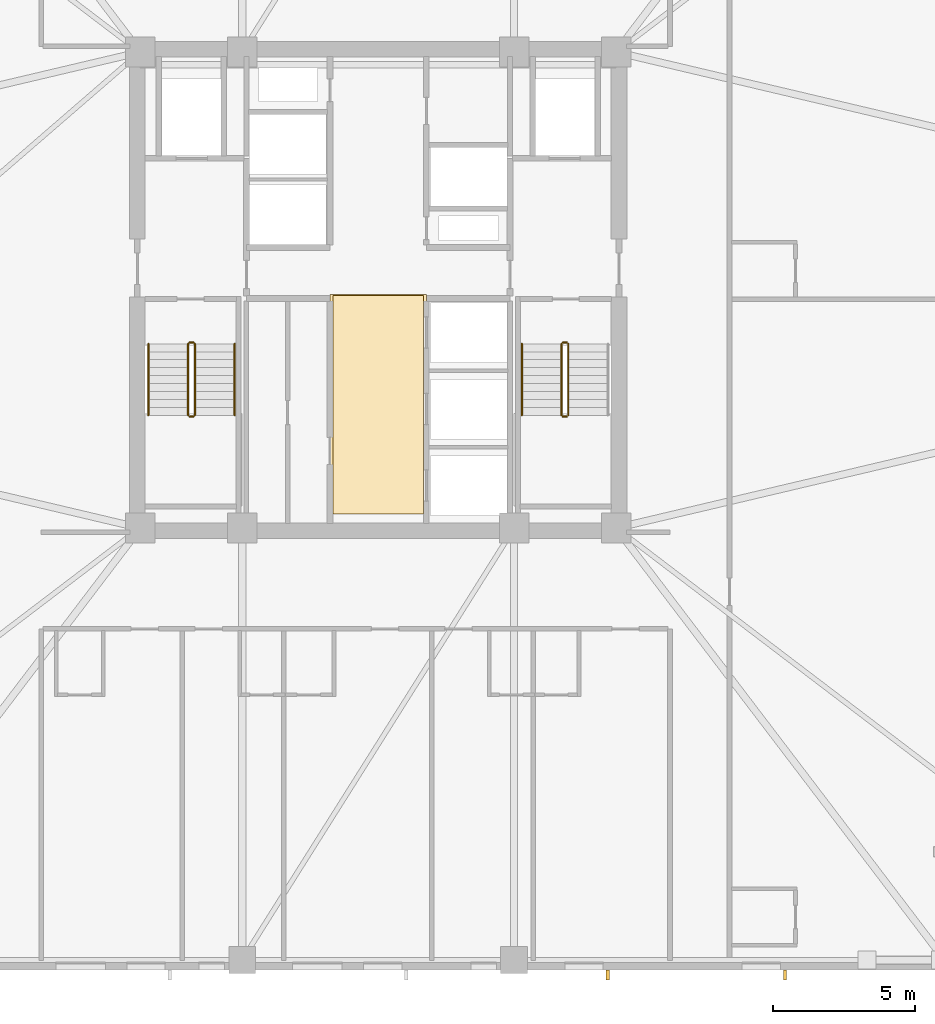
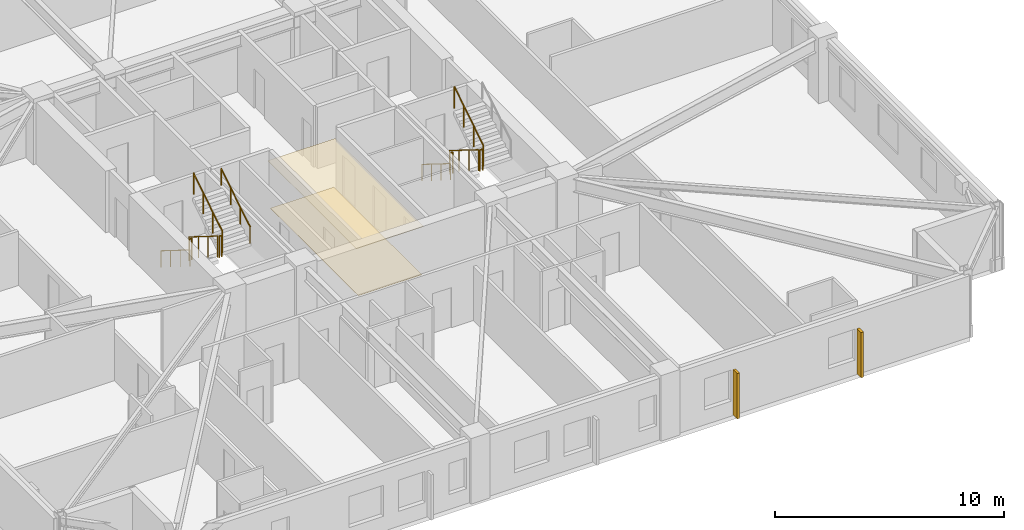
# One storey, part 8 of 11: 11 railings, 2 coverings, 2 shading devices.
"""IFC4 building model written with IfcOpenShell, lengths in metres."""

from ifc_helpers import new_model, si_unit, direction, frame, origin, origin_2d, place, context, subcontext, project, spatial, polyline, rectangle, circle, outline, extrude, material, layer, layer_set, type_object, element, save


model = new_model("IFC4")

# Units and contexts
model_context = context("Model", 3, precision=1e-05, world=origin(), true_north=direction((0.0, 1.0)))
body_context = subcontext(model_context, "Body", "Model", "MODEL_VIEW")
ifc_project = project(units=[si_unit("LENGTHUNIT", "METRE"), si_unit("AREAUNIT", "SQUARE_METRE"), si_unit("VOLUMEUNIT", "CUBIC_METRE"), si_unit("PLANEANGLEUNIT", "RADIAN"), si_unit("MASSUNIT", "GRAM", prefix="KILO")], contexts=[model_context])

# Site, building, storey
site_placement = place(None, origin())
site = spatial("IfcSite", under=ifc_project, at=site_placement, CompositionType="ELEMENT")
building_placement = place(site_placement, origin())
building = spatial("IfcBuilding", under=site, at=building_placement, Name="Cairnveth Concourse Tower", CompositionType="ELEMENT")
storey_placement = place(building_placement, frame((0.0, 0.0, 120.0)))
storey = spatial("IfcBuildingStorey", under=building, at=storey_placement, Name="L32", CompositionType="ELEMENT", Elevation=120.0)

# Covering
ifc_material_1 = material(Name="Acoustic Mineral Fibre Ceiling", Category="gypsum")
ifc_layer_1 = layer(ifc_material_1, 0.02490234375)
ifc_layer_set_1 = layer_set([ifc_layer_1], Name="Acoustic Mineral Fibre Ceiling")
covering_type_1 = type_object("IfcCoveringType", Name="ACOUSTIC MINERAL FIBRE CEILING 25", PredefinedType="CEILING", material=ifc_layer_set_1)
covering_1_placement = place(storey_placement, frame((0.0, 0.0, 2.5400390625)))
element("IfcCovering", 1, at=covering_1_placement, inside=storey, type_object=covering_type_1, Name="Lift Lobby Acoustic Ceiling L32", PredefinedType="CEILING", context=body_context, shape_type="SweptSolid", body=[
    extrude(outline(polyline([(50.300048828125, 31.10009765625), (53.699951171875, 31.10009765625), (53.699951171875, 38.85009765625), (50.300048828125, 38.85009765625), (50.300048828125, 31.10009765625)])), origin(), (0.0, 0.0, 1.0), 0.02490234375),
])

# Shading devices
ifc_material_2 = material(Name="Architectural Bronze Anodised Aluminium 6063-T6", Category="aluminium")
shading_device_type = type_object("IfcShadingDeviceType", Name="GOTHIC BRONZE VERTICAL LANCET FIN", PredefinedType="USERDEFINED", material=ifc_material_2)
for number, where, z_axis, x_axis, name in (
    (2, (66.358154296875, 14.824951171875, 0.030029296875), (0.0, 0.0, 1.0), (1.0, 0.0, 0.0), "Gothic Bronze Vertical Fin L32-9-1"),
    (3, (60.10107421875, 14.824951171875, 0.030029296875), (0.0, 0.0, 1.0), (1.0, 0.0, 0.0), "Gothic Bronze Vertical Fin L32-9-3"),
):
    element("IfcShadingDevice", number, at=place(storey_placement, frame(where, z_axis=z_axis, x_axis=x_axis)), inside=storey, type_object=shading_device_type, Name=name, ObjectType="VERTICAL FIN", PredefinedType="USERDEFINED", context=body_context, shape_type="SweptSolid", body=[
        extrude(rectangle(XDim=0.1201171875, YDim=0.360107421875, at=origin_2d()), origin(), (0.0, 0.0, 1.0), 2.419921875),
    ])

# Railings
ifc_material_3 = material(Name="Steel Grade 350", Category="steel")
railing_type_1 = type_object("IfcRailingType", Name="STAIR GUARDRAIL 1150", PredefinedType="GUARDRAIL", material=ifc_material_3)
railing_1_placement = place(storey_placement, frame((45.2900390625, 37.10009765625, 0.175048828125)))
element("IfcRailing", 4, at=railing_1_placement, inside=storey, type_object=railing_type_1, Name="L32 ST-1 stair guard 1", PredefinedType="GUARDRAIL", context=body_context, shape_type="SweptSolid", body=[
    extrude(circle(Radius=0.02392578125, at=origin_2d()), frame((0.0, 0.0, 1.1259765625), z_axis=(0.0, -0.848007534815, 0.529984170421), x_axis=(1.0, 0.0, 0.0)), (0.0, 0.0, 1.0), 2.9716796875),
    extrude(circle(Radius=0.02099609375, at=origin_2d()), origin(), (0.0, 0.0, 1.0), 1.101806640625),
    extrude(circle(Radius=0.02099609375, at=origin_2d()), frame((0.0, -0.840087890625, 0.52490234375)), (0.0, 0.0, 1.0), 1.101806640625),
    extrude(circle(Radius=0.02099609375, at=origin_2d()), frame((0.0, -1.679931640625, 1.050048828125)), (0.0, 0.0, 1.0), 1.101806640625),
    extrude(circle(Radius=0.02099609375, at=origin_2d()), frame((0.0, -2.52001953125, 1.574951171875)), (0.0, 0.0, 1.0), 1.101806640625),
])
railing_2_placement = place(storey_placement, frame((45.340087890625, 34.530029296875, 1.75)))
element("IfcRailing", 5, at=railing_2_placement, inside=storey, type_object=railing_type_1, Name="L32 ST-1 stair guard 2", PredefinedType="GUARDRAIL", context=body_context, shape_type="SweptSolid", body=[
    extrude(circle(Radius=0.02392578125, at=origin_2d()), frame((0.0, 0.0, 1.1259765625), z_axis=(1.0, 0.0, 0.0), x_axis=(0.0, 1.0, 0.0)), (0.0, 0.0, 1.0), 0.139892578125),
    extrude(circle(Radius=0.02099609375, at=origin_2d()), origin(), (0.0, 0.0, 1.0), 1.101806640625),
    extrude(circle(Radius=0.02099609375, at=origin_2d()), frame((0.139892578125, 0.0, 0.0)), (0.0, 0.0, 1.0), 1.101806640625),
])
railing_3_placement = place(storey_placement, frame((45.530029296875, 34.580078125, 1.925048828125)))
element("IfcRailing", 6, at=railing_3_placement, inside=storey, type_object=railing_type_1, Name="L32 ST-1 stair guard 3", PredefinedType="GUARDRAIL", context=body_context, shape_type="SweptSolid", body=[
    extrude(circle(Radius=0.02392578125, at=origin_2d()), frame((0.0, 0.0, 1.1259765625), z_axis=(0.0, 0.848007534815, 0.529984170421), x_axis=(-1.0, 0.0, 0.0)), (0.0, 0.0, 1.0), 2.9716796875),
    extrude(circle(Radius=0.02099609375, at=origin_2d()), origin(), (0.0, 0.0, 1.0), 1.101806640625),
    extrude(circle(Radius=0.02099609375, at=origin_2d()), frame((0.0, 0.840087890625, 0.52490234375)), (0.0, 0.0, 1.0), 1.101806640625),
    extrude(circle(Radius=0.02099609375, at=origin_2d()), frame((0.0, 1.679931640625, 1.050048828125)), (0.0, 0.0, 1.0), 1.101806640625),
    extrude(circle(Radius=0.02099609375, at=origin_2d()), frame((0.0, 2.52001953125, 1.574951171875)), (0.0, 0.0, 1.0), 1.101806640625),
])
railing_4_placement = place(storey_placement, frame((45.340087890625, 37.14990234375, 0.0)))
element("IfcRailing", 7, at=railing_4_placement, inside=storey, type_object=railing_type_1, Name="L32 ST-1 stair guard 4", PredefinedType="GUARDRAIL", context=body_context, shape_type="SweptSolid", body=[
    extrude(circle(Radius=0.02392578125, at=origin_2d()), frame((0.0, 0.0, 1.1259765625), z_axis=(1.0, 0.0, 0.0), x_axis=(0.0, 1.0, 0.0)), (0.0, 0.0, 1.0), 0.139892578125),
    extrude(circle(Radius=0.02099609375, at=origin_2d()), origin(), (0.0, 0.0, 1.0), 1.101806640625),
    extrude(circle(Radius=0.02099609375, at=origin_2d()), frame((0.139892578125, 0.0, 0.0)), (0.0, 0.0, 1.0), 1.101806640625),
])
railing_5_placement = place(storey_placement, frame((58.469970703125, 37.10009765625, 0.175048828125)))
element("IfcRailing", 8, at=railing_5_placement, inside=storey, type_object=railing_type_1, Name="L32 ST-2 stair guard 1", PredefinedType="GUARDRAIL", context=body_context, shape_type="SweptSolid", body=[
    extrude(circle(Radius=0.02392578125, at=origin_2d()), frame((0.0, 0.0, 1.1259765625), z_axis=(0.0, -0.848007534815, 0.529984170421), x_axis=(1.0, 0.0, 0.0)), (0.0, 0.0, 1.0), 2.9716796875),
    extrude(circle(Radius=0.02099609375, at=origin_2d()), origin(), (0.0, 0.0, 1.0), 1.101806640625),
    extrude(circle(Radius=0.02099609375, at=origin_2d()), frame((0.0, -0.840087890625, 0.52490234375)), (0.0, 0.0, 1.0), 1.101806640625),
    extrude(circle(Radius=0.02099609375, at=origin_2d()), frame((0.0, -1.679931640625, 1.050048828125)), (0.0, 0.0, 1.0), 1.101806640625),
    extrude(circle(Radius=0.02099609375, at=origin_2d()), frame((0.0, -2.52001953125, 1.574951171875)), (0.0, 0.0, 1.0), 1.101806640625),
])
railing_6_placement = place(storey_placement, frame((58.52001953125, 34.530029296875, 1.75)))
element("IfcRailing", 9, at=railing_6_placement, inside=storey, type_object=railing_type_1, Name="L32 ST-2 stair guard 2", PredefinedType="GUARDRAIL", context=body_context, shape_type="SweptSolid", body=[
    extrude(circle(Radius=0.02392578125, at=origin_2d()), frame((0.0, 0.0, 1.1259765625), z_axis=(1.0, 0.0, 0.0), x_axis=(0.0, 1.0, 0.0)), (0.0, 0.0, 1.0), 0.139892578125),
    extrude(circle(Radius=0.02099609375, at=origin_2d()), origin(), (0.0, 0.0, 1.0), 1.101806640625),
    extrude(circle(Radius=0.02099609375, at=origin_2d()), frame((0.139892578125, 0.0, 0.0)), (0.0, 0.0, 1.0), 1.101806640625),
])
railing_7_placement = place(storey_placement, frame((58.7099609375, 34.580078125, 1.925048828125)))
element("IfcRailing", 10, at=railing_7_placement, inside=storey, type_object=railing_type_1, Name="L32 ST-2 stair guard 3", PredefinedType="GUARDRAIL", context=body_context, shape_type="SweptSolid", body=[
    extrude(circle(Radius=0.02392578125, at=origin_2d()), frame((0.0, 0.0, 1.1259765625), z_axis=(0.0, 0.848007534815, 0.529984170421), x_axis=(-1.0, 0.0, 0.0)), (0.0, 0.0, 1.0), 2.9716796875),
    extrude(circle(Radius=0.02099609375, at=origin_2d()), origin(), (0.0, 0.0, 1.0), 1.101806640625),
    extrude(circle(Radius=0.02099609375, at=origin_2d()), frame((0.0, 0.840087890625, 0.52490234375)), (0.0, 0.0, 1.0), 1.101806640625),
    extrude(circle(Radius=0.02099609375, at=origin_2d()), frame((0.0, 1.679931640625, 1.050048828125)), (0.0, 0.0, 1.0), 1.101806640625),
    extrude(circle(Radius=0.02099609375, at=origin_2d()), frame((0.0, 2.52001953125, 1.574951171875)), (0.0, 0.0, 1.0), 1.101806640625),
])
railing_8_placement = place(storey_placement, frame((58.52001953125, 37.14990234375, 0.0)))
element("IfcRailing", 11, at=railing_8_placement, inside=storey, type_object=railing_type_1, Name="L32 ST-2 stair guard 4", PredefinedType="GUARDRAIL", context=body_context, shape_type="SweptSolid", body=[
    extrude(circle(Radius=0.02392578125, at=origin_2d()), frame((0.0, 0.0, 1.1259765625), z_axis=(1.0, 0.0, 0.0), x_axis=(0.0, 1.0, 0.0)), (0.0, 0.0, 1.0), 0.139892578125),
    extrude(circle(Radius=0.02099609375, at=origin_2d()), origin(), (0.0, 0.0, 1.0), 1.101806640625),
    extrude(circle(Radius=0.02099609375, at=origin_2d()), frame((0.139892578125, 0.0, 0.0)), (0.0, 0.0, 1.0), 1.101806640625),
])
railing_type_2 = type_object("IfcRailingType", Name="STAIR WALL HANDRAIL 900", PredefinedType="HANDRAIL", material=ifc_material_3)
railing_9_placement = place(storey_placement, frame((43.889892578125, 37.10009765625, 0.175048828125)))
element("IfcRailing", 12, at=railing_9_placement, inside=storey, type_object=railing_type_2, Name="L32 ST-1 stair handrail 1", PredefinedType="HANDRAIL", context=body_context, shape_type="SweptSolid", body=[
    extrude(circle(Radius=0.02392578125, at=origin_2d()), frame((0.0, 0.0, 0.8759765625), z_axis=(0.0, -0.848007534815, 0.529984170421), x_axis=(1.0, 0.0, 0.0)), (0.0, 0.0, 1.0), 2.9716796875),
    extrude(circle(Radius=0.02099609375, at=origin_2d()), origin(), (0.0, 0.0, 1.0), 0.851806640625),
    extrude(circle(Radius=0.02099609375, at=origin_2d()), frame((0.0, -0.840087890625, 0.52490234375)), (0.0, 0.0, 1.0), 0.851806640625),
    extrude(circle(Radius=0.02099609375, at=origin_2d()), frame((0.0, -1.679931640625, 1.050048828125)), (0.0, 0.0, 1.0), 0.851806640625),
    extrude(circle(Radius=0.02099609375, at=origin_2d()), frame((0.0, -2.52001953125, 1.574951171875)), (0.0, 0.0, 1.0), 0.851806640625),
])
railing_10_placement = place(storey_placement, frame((46.929931640625, 34.580078125, 1.925048828125)))
element("IfcRailing", 13, at=railing_10_placement, inside=storey, type_object=railing_type_2, Name="L32 ST-1 stair handrail 2", PredefinedType="HANDRAIL", context=body_context, shape_type="SweptSolid", body=[
    extrude(circle(Radius=0.02392578125, at=origin_2d()), frame((0.0, 0.0, 0.8759765625), z_axis=(0.0, 0.848007534815, 0.529984170421), x_axis=(-1.0, 0.0, 0.0)), (0.0, 0.0, 1.0), 2.9716796875),
    extrude(circle(Radius=0.02099609375, at=origin_2d()), origin(), (0.0, 0.0, 1.0), 0.851806640625),
    extrude(circle(Radius=0.02099609375, at=origin_2d()), frame((0.0, 0.840087890625, 0.52490234375)), (0.0, 0.0, 1.0), 0.851806640625),
    extrude(circle(Radius=0.02099609375, at=origin_2d()), frame((0.0, 1.679931640625, 1.050048828125)), (0.0, 0.0, 1.0), 0.851806640625),
    extrude(circle(Radius=0.02099609375, at=origin_2d()), frame((0.0, 2.52001953125, 1.574951171875)), (0.0, 0.0, 1.0), 0.851806640625),
])
railing_11_placement = place(storey_placement, frame((57.070068359375, 37.10009765625, 0.175048828125)))
element("IfcRailing", 14, at=railing_11_placement, inside=storey, type_object=railing_type_2, Name="L32 ST-2 stair handrail 1", PredefinedType="HANDRAIL", context=body_context, shape_type="SweptSolid", body=[
    extrude(circle(Radius=0.02392578125, at=origin_2d()), frame((0.0, 0.0, 0.8759765625), z_axis=(0.0, -0.848007534815, 0.529984170421), x_axis=(1.0, 0.0, 0.0)), (0.0, 0.0, 1.0), 2.9716796875),
    extrude(circle(Radius=0.02099609375, at=origin_2d()), origin(), (0.0, 0.0, 1.0), 0.851806640625),
    extrude(circle(Radius=0.02099609375, at=origin_2d()), frame((0.0, -0.840087890625, 0.52490234375)), (0.0, 0.0, 1.0), 0.851806640625),
    extrude(circle(Radius=0.02099609375, at=origin_2d()), frame((0.0, -1.679931640625, 1.050048828125)), (0.0, 0.0, 1.0), 0.851806640625),
    extrude(circle(Radius=0.02099609375, at=origin_2d()), frame((0.0, -2.52001953125, 1.574951171875)), (0.0, 0.0, 1.0), 0.851806640625),
])

# Covering
ifc_material_4 = material(Name="Vitrified Stoneware Tile Flooring", Category="masonry")
ifc_layer_2 = layer(ifc_material_4, 0.02001953125)
ifc_layer_set_2 = layer_set([ifc_layer_2], Name="Vitrified Stoneware Tile Flooring")
covering_type_2 = type_object("IfcCoveringType", Name="VITRIFIED STONEWARE LOBBY FLOORING 20", PredefinedType="FLOORING", material=ifc_layer_set_2)
covering_2_placement = place(storey_placement, origin())
element("IfcCovering", 15, at=covering_2_placement, inside=storey, type_object=covering_type_2, Name="Lift Lobby Stoneware Flooring L32", PredefinedType="FLOORING", context=body_context, shape_type="SweptSolid", body=[
    extrude(outline(polyline([(50.39990234375, 31.10009765625), (53.60009765625, 31.10009765625), (53.60009765625, 38.800048828125), (50.39990234375, 38.800048828125), (50.39990234375, 31.10009765625)])), origin(), (0.0, 0.0, 1.0), 0.02001953125),
])

save(model, "model.ifc")
